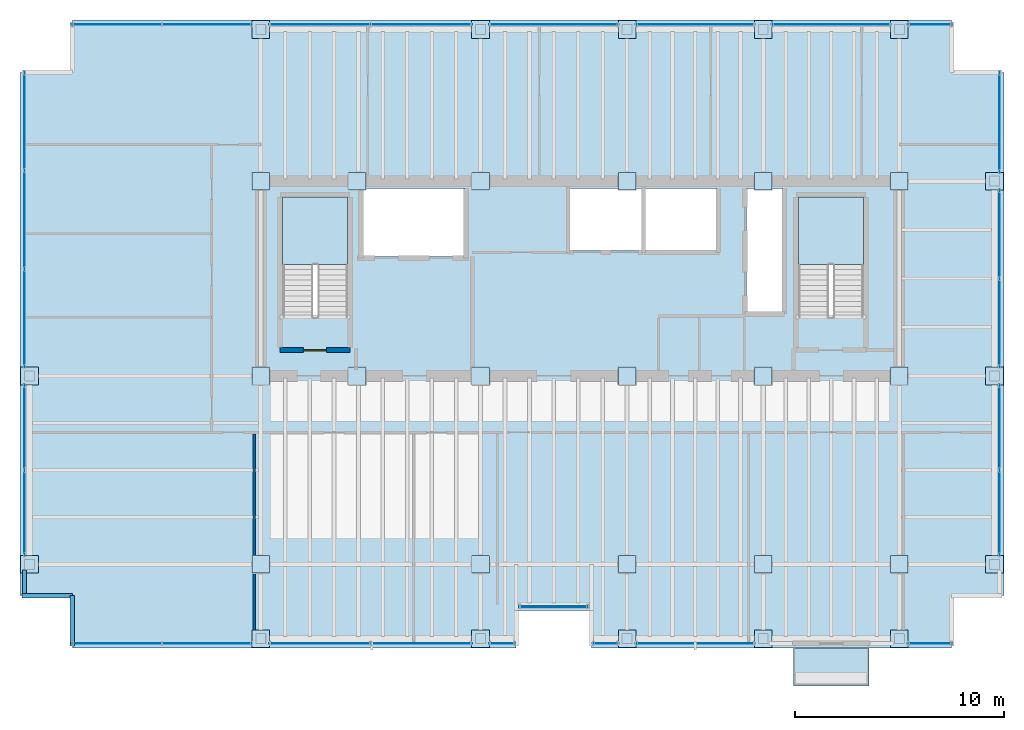
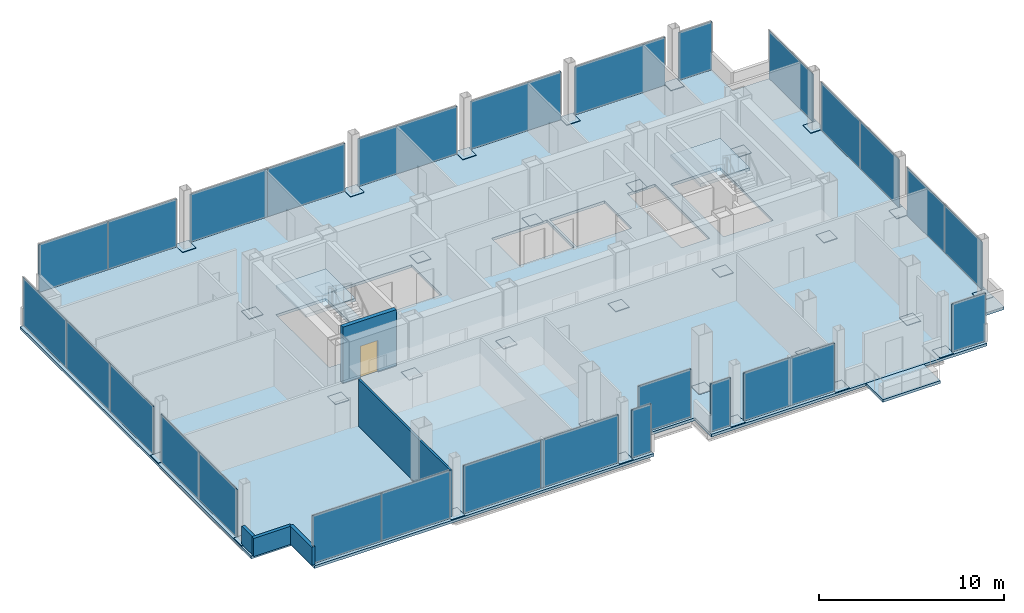
# One storey, part 15 of 19: 59 plates, 5 walls, 4 slabs, 1 door, 7 openings, 20 elements without a shape of their own.
"""IFC4 building model written with IfcOpenShell, lengths in metres."""

from ifc_helpers import new_model, si_unit, direction, frame, frame_2d, origin, origin_2d, place, context, subcontext, project, spatial, polyline, rectangle, outline, extrude, material, layer, layer_set, type_object, element, fill, aggregate, save


model = new_model("IFC4")

# Units and contexts
model_context = context("Model", 3, precision=1e-05, world=origin(), true_north=direction((0.0, 1.0)))
body_context = subcontext(model_context, "Body", "Model", "MODEL_VIEW")
ifc_project = project(units=[si_unit("LENGTHUNIT", "METRE"), si_unit("AREAUNIT", "SQUARE_METRE"), si_unit("VOLUMEUNIT", "CUBIC_METRE"), si_unit("PLANEANGLEUNIT", "RADIAN"), si_unit("MASSUNIT", "GRAM", prefix="KILO")], contexts=[model_context])

# Site, building, storey
site_placement = place(None, origin())
site = spatial("IfcSite", under=ifc_project, at=site_placement, CompositionType="ELEMENT")
building_placement = place(site_placement, origin())
building = spatial("IfcBuilding", under=site, at=building_placement, Name="Noeulbin Bourse Tower", CompositionType="ELEMENT")
storey_placement = place(building_placement, frame((0.0, 0.0, 150.0)))
storey = spatial("IfcBuildingStorey", under=building, at=storey_placement, Name="L37", CompositionType="ELEMENT", Elevation=150.0)

# Curtain wall, plate
ifc_material_1 = material(Name="Dark Tinted Triple Glazing", Category="glass")
curtain_wall_type = type_object("IfcCurtainWallType", Name="CW-SYS-3", PredefinedType="NOTDEFINED", material=ifc_material_1)
curtain_wall_1_placement = place(storey_placement, origin())
curtain_wall_1 = element("IfcCurtainWall", 1, at=curtain_wall_1_placement, inside=storey, type_object=curtain_wall_type, Name="Unitised Curtain Wall CW-L37-SREC", PredefinedType="NOTDEFINED")
ifc_layer_1 = layer(ifc_material_1, 0.035888671875)
ifc_layer_set_1 = layer_set([ifc_layer_1], Name="Dark Tinted Triple Glazing")
plate_type_1 = type_object("IfcPlateType", Name="CW-SYS-3-PNL", PredefinedType="CURTAIN_PANEL", material=ifc_layer_set_1)
plate_1_placement = place(storey_placement, frame((27.5, 17.97998046875, 0.0), z_axis=(0.0, 0.0, 1.0), x_axis=(1.0, 0.0, 0.0)))
plate_1 = element("IfcPlate", 2, at=plate_1_placement, type_object=plate_type_1, Name="Glazed Curtain Panel CW-L37-SREC-P00", PredefinedType="CURTAIN_PANEL", context=body_context, shape_type="SweptSolid", body=[
    extrude(rectangle(XDim=3.300048828125, YDim=0.035888671875, at=origin_2d()), origin(), (0.0, 0.0, 1.0), 3.179931640625),
])
aggregate(curtain_wall_1, [plate_1])

# Curtain wall, plates
curtain_wall_2_placement = place(storey_placement, origin())
curtain_wall_2 = element("IfcCurtainWall", 3, at=curtain_wall_2_placement, inside=storey, type_object=curtain_wall_type, Name="Unitised Curtain Wall CW-L37-S1-S1", PredefinedType="NOTDEFINED")
plate_2_placement = place(storey_placement, frame((6.632568359375, 16.219970703125, 0.0), z_axis=(0.0, 0.0, 1.0), x_axis=(1.0, 0.0, 0.0)))
plate_2 = element("IfcPlate", 4, at=plate_2_placement, type_object=plate_type_1, Name="Glazed Curtain Panel CW-L37-S1-S1-P00", PredefinedType="CURTAIN_PANEL", context=body_context, shape_type="SweptSolid", body=[
    extrude(rectangle(XDim=4.304931640625, YDim=0.035888671875, at=origin_2d()), origin(), (0.0, 0.0, 1.0), 3.179931640625),
])
plate_3_placement = place(storey_placement, frame((10.9375, 16.219970703125, 0.0), z_axis=(0.0, 0.0, 1.0), x_axis=(1.0, 0.0, 0.0)))
plate_3 = element("IfcPlate", 5, at=plate_3_placement, type_object=plate_type_1, Name="Glazed Curtain Panel CW-L37-S1-S1-P01", PredefinedType="CURTAIN_PANEL", context=body_context, shape_type="SweptSolid", body=[
    extrude(rectangle(XDim=4.304931640625, YDim=0.035888671875, at=origin_2d()), origin(), (0.0, 0.0, 1.0), 3.179931640625),
])
aggregate(curtain_wall_2, [plate_2, plate_3])

curtain_wall_3_placement = place(storey_placement, origin())
curtain_wall_3 = element("IfcCurtainWall", 6, at=curtain_wall_3_placement, inside=storey, type_object=curtain_wall_type, Name="Unitised Curtain Wall CW-L37-S1-S2", PredefinedType="NOTDEFINED")
plate_4_placement = place(storey_placement, frame((16.330078125, 16.219970703125, 0.0), z_axis=(0.0, 0.0, 1.0), x_axis=(1.0, 0.0, 0.0)))
plate_4 = element("IfcPlate", 7, at=plate_4_placement, type_object=plate_type_1, Name="Glazed Curtain Panel CW-L37-S1-S2-P00", PredefinedType="CURTAIN_PANEL", context=body_context, shape_type="SweptSolid", body=[
    extrude(rectangle(XDim=4.840087890625, YDim=0.035888671875, at=origin_2d()), origin(), (0.0, 0.0, 1.0), 3.179931640625),
])
plate_5_placement = place(storey_placement, frame((21.169921875, 16.219970703125, 0.0), z_axis=(0.0, 0.0, 1.0), x_axis=(1.0, 0.0, 0.0)))
plate_5 = element("IfcPlate", 8, at=plate_5_placement, type_object=plate_type_1, Name="Glazed Curtain Panel CW-L37-S1-S2-P01", PredefinedType="CURTAIN_PANEL", context=body_context, shape_type="SweptSolid", body=[
    extrude(rectangle(XDim=4.840087890625, YDim=0.035888671875, at=origin_2d()), origin(), (0.0, 0.0, 1.0), 3.179931640625),
])
aggregate(curtain_wall_3, [plate_4, plate_5])

# Curtain wall, plate
curtain_wall_4_placement = place(storey_placement, origin())
curtain_wall_4 = element("IfcCurtainWall", 9, at=curtain_wall_4_placement, inside=storey, type_object=curtain_wall_type, Name="Unitised Curtain Wall CW-L37-S1-S3", PredefinedType="NOTDEFINED")
plate_6_placement = place(storey_placement, frame((25.030029296875, 16.219970703125, 0.0), z_axis=(0.0, 0.0, 1.0), x_axis=(1.0, 0.0, 0.0)))
plate_6 = element("IfcPlate", 10, at=plate_6_placement, type_object=plate_type_1, Name="Glazed Curtain Panel CW-L37-S1-S3-P00", PredefinedType="CURTAIN_PANEL", context=body_context, shape_type="SweptSolid", body=[
    extrude(rectangle(XDim=1.239990234375, YDim=0.035888671875, at=origin_2d()), origin(), (0.0, 0.0, 1.0), 3.179931640625),
])
aggregate(curtain_wall_4, [plate_6])

curtain_wall_5_placement = place(storey_placement, origin())
curtain_wall_5 = element("IfcCurtainWall", 11, at=curtain_wall_5_placement, inside=storey, type_object=curtain_wall_type, Name="Unitised Curtain Wall CW-L37-S2-S1", PredefinedType="NOTDEFINED")
plate_7_placement = place(storey_placement, frame((29.969970703125, 16.219970703125, 0.0), z_axis=(0.0, 0.0, 1.0), x_axis=(1.0, 0.0, 0.0)))
plate_7 = element("IfcPlate", 12, at=plate_7_placement, type_object=plate_type_1, Name="Glazed Curtain Panel CW-L37-S2-S1-P00", PredefinedType="CURTAIN_PANEL", context=body_context, shape_type="SweptSolid", body=[
    extrude(rectangle(XDim=1.239990234375, YDim=0.035888671875, at=origin_2d()), origin(), (0.0, 0.0, 1.0), 3.179931640625),
])
aggregate(curtain_wall_5, [plate_7])

curtain_wall_6_placement = place(storey_placement, origin())
curtain_wall_6 = element("IfcCurtainWall", 13, at=curtain_wall_6_placement, inside=storey, type_object=curtain_wall_type, Name="Unitised Curtain Wall CW-L37-S2-S2", PredefinedType="NOTDEFINED")
plate_8_placement = place(storey_placement, frame((34.25, 16.219970703125, 0.0), z_axis=(0.0, 0.0, 1.0), x_axis=(1.0, 0.0, 0.0)))
plate_8 = element("IfcPlate", 14, at=plate_8_placement, type_object=plate_type_1, Name="Glazed Curtain Panel CW-L37-S2-S2-P00", PredefinedType="CURTAIN_PANEL", context=body_context, shape_type="SweptSolid", body=[
    extrude(rectangle(XDim=5.679931640625, YDim=0.035888671875, at=origin_2d()), origin(), (0.0, 0.0, 1.0), 3.179931640625),
])
aggregate(curtain_wall_6, [plate_8])

curtain_wall_7_placement = place(storey_placement, origin())
curtain_wall_7 = element("IfcCurtainWall", 15, at=curtain_wall_7_placement, inside=storey, type_object=curtain_wall_type, Name="Unitised Curtain Wall CW-L37-S3", PredefinedType="NOTDEFINED")
plate_9_placement = place(storey_placement, frame((45.465087890625, 16.219970703125, 0.0), z_axis=(0.0, 0.0, 1.0), x_axis=(1.0, 0.0, 0.0)))
plate_9 = element("IfcPlate", 16, at=plate_9_placement, type_object=plate_type_1, Name="Glazed Curtain Panel CW-L37-S3-P00", PredefinedType="CURTAIN_PANEL", context=body_context, shape_type="SweptSolid", body=[
    extrude(rectangle(XDim=2.110107421875, YDim=0.035888671875, at=origin_2d()), origin(), (0.0, 0.0, 1.0), 3.179931640625),
])
aggregate(curtain_wall_7, [plate_9])

# Curtain wall, plates
curtain_wall_8_placement = place(storey_placement, origin())
curtain_wall_8 = element("IfcCurtainWall", 17, at=curtain_wall_8_placement, inside=storey, type_object=curtain_wall_type, Name="Unitised Curtain Wall CW-L37-N-S1", PredefinedType="NOTDEFINED")
plate_10_placement = place(storey_placement, frame((6.632568359375, 45.780029296875, 0.0), z_axis=(0.0, 0.0, 1.0), x_axis=(1.0, 0.0, 0.0)))
plate_10 = element("IfcPlate", 18, at=plate_10_placement, type_object=plate_type_1, Name="Glazed Curtain Panel CW-L37-N-S1-P00", PredefinedType="CURTAIN_PANEL", context=body_context, shape_type="SweptSolid", body=[
    extrude(rectangle(XDim=4.304931640625, YDim=0.035888671875, at=origin_2d()), origin(), (0.0, 0.0, 1.0), 3.179931640625),
])
plate_11_placement = place(storey_placement, frame((10.9375, 45.780029296875, 0.0), z_axis=(0.0, 0.0, 1.0), x_axis=(1.0, 0.0, 0.0)))
plate_11 = element("IfcPlate", 19, at=plate_11_placement, type_object=plate_type_1, Name="Glazed Curtain Panel CW-L37-N-S1-P01", PredefinedType="CURTAIN_PANEL", context=body_context, shape_type="SweptSolid", body=[
    extrude(rectangle(XDim=4.304931640625, YDim=0.035888671875, at=origin_2d()), origin(), (0.0, 0.0, 1.0), 3.179931640625),
])
aggregate(curtain_wall_8, [plate_10, plate_11])

curtain_wall_9_placement = place(storey_placement, origin())
curtain_wall_9 = element("IfcCurtainWall", 20, at=curtain_wall_9_placement, inside=storey, type_object=curtain_wall_type, Name="Unitised Curtain Wall CW-L37-N-S2", PredefinedType="NOTDEFINED")
plate_12_placement = place(storey_placement, frame((16.330078125, 45.780029296875, 0.0), z_axis=(0.0, 0.0, 1.0), x_axis=(1.0, 0.0, 0.0)))
plate_12 = element("IfcPlate", 21, at=plate_12_placement, type_object=plate_type_1, Name="Glazed Curtain Panel CW-L37-N-S2-P00", PredefinedType="CURTAIN_PANEL", context=body_context, shape_type="SweptSolid", body=[
    extrude(rectangle(XDim=4.840087890625, YDim=0.035888671875, at=origin_2d()), origin(), (0.0, 0.0, 1.0), 3.179931640625),
])
plate_13_placement = place(storey_placement, frame((21.169921875, 45.780029296875, 0.0), z_axis=(0.0, 0.0, 1.0), x_axis=(1.0, 0.0, 0.0)))
plate_13 = element("IfcPlate", 22, at=plate_13_placement, type_object=plate_type_1, Name="Glazed Curtain Panel CW-L37-N-S2-P01", PredefinedType="CURTAIN_PANEL", context=body_context, shape_type="SweptSolid", body=[
    extrude(rectangle(XDim=4.840087890625, YDim=0.035888671875, at=origin_2d()), origin(), (0.0, 0.0, 1.0), 3.179931640625),
])
aggregate(curtain_wall_9, [plate_12, plate_13])

# Curtain wall, plate
curtain_wall_10_placement = place(storey_placement, origin())
curtain_wall_10 = element("IfcCurtainWall", 23, at=curtain_wall_10_placement, inside=storey, type_object=curtain_wall_type, Name="Unitised Curtain Wall CW-L37-N-S3", PredefinedType="NOTDEFINED")
plate_14_placement = place(storey_placement, frame((27.5, 45.780029296875, 0.0), z_axis=(0.0, 0.0, 1.0), x_axis=(1.0, 0.0, 0.0)))
plate_14 = element("IfcPlate", 24, at=plate_14_placement, type_object=plate_type_1, Name="Glazed Curtain Panel CW-L37-N-S3-P00", PredefinedType="CURTAIN_PANEL", context=body_context, shape_type="SweptSolid", body=[
    extrude(rectangle(XDim=6.179931640625, YDim=0.035888671875, at=origin_2d()), origin(), (0.0, 0.0, 1.0), 3.179931640625),
])
aggregate(curtain_wall_10, [plate_14])

curtain_wall_11_placement = place(storey_placement, origin())
curtain_wall_11 = element("IfcCurtainWall", 25, at=curtain_wall_11_placement, inside=storey, type_object=curtain_wall_type, Name="Unitised Curtain Wall CW-L37-N-S4", PredefinedType="NOTDEFINED")
plate_15_placement = place(storey_placement, frame((34.25, 45.780029296875, 0.0), z_axis=(0.0, 0.0, 1.0), x_axis=(1.0, 0.0, 0.0)))
plate_15 = element("IfcPlate", 26, at=plate_15_placement, type_object=plate_type_1, Name="Glazed Curtain Panel CW-L37-N-S4-P00", PredefinedType="CURTAIN_PANEL", context=body_context, shape_type="SweptSolid", body=[
    extrude(rectangle(XDim=5.679931640625, YDim=0.035888671875, at=origin_2d()), origin(), (0.0, 0.0, 1.0), 3.179931640625),
])
aggregate(curtain_wall_11, [plate_15])

curtain_wall_12_placement = place(storey_placement, origin())
curtain_wall_12 = element("IfcCurtainWall", 27, at=curtain_wall_12_placement, inside=storey, type_object=curtain_wall_type, Name="Unitised Curtain Wall CW-L37-N-S5", PredefinedType="NOTDEFINED")
plate_16_placement = place(storey_placement, frame((40.75, 45.780029296875, 0.0), z_axis=(0.0, 0.0, 1.0), x_axis=(1.0, 0.0, 0.0)))
plate_16 = element("IfcPlate", 28, at=plate_16_placement, type_object=plate_type_1, Name="Glazed Curtain Panel CW-L37-N-S5-P00", PredefinedType="CURTAIN_PANEL", context=body_context, shape_type="SweptSolid", body=[
    extrude(rectangle(XDim=5.679931640625, YDim=0.035888671875, at=origin_2d()), origin(), (0.0, 0.0, 1.0), 3.179931640625),
])
aggregate(curtain_wall_12, [plate_16])

curtain_wall_13_placement = place(storey_placement, origin())
curtain_wall_13 = element("IfcCurtainWall", 29, at=curtain_wall_13_placement, inside=storey, type_object=curtain_wall_type, Name="Unitised Curtain Wall CW-L37-N-S6", PredefinedType="NOTDEFINED")
plate_17_placement = place(storey_placement, frame((45.465087890625, 45.780029296875, 0.0), z_axis=(0.0, 0.0, 1.0), x_axis=(1.0, 0.0, 0.0)))
plate_17 = element("IfcPlate", 30, at=plate_17_placement, type_object=plate_type_1, Name="Glazed Curtain Panel CW-L37-N-S6-P00", PredefinedType="CURTAIN_PANEL", context=body_context, shape_type="SweptSolid", body=[
    extrude(rectangle(XDim=2.110107421875, YDim=0.035888671875, at=origin_2d()), origin(), (0.0, 0.0, 1.0), 3.179931640625),
])
aggregate(curtain_wall_13, [plate_17])

# Curtain wall, plates
curtain_wall_14_placement = place(storey_placement, origin())
curtain_wall_14 = element("IfcCurtainWall", 31, at=curtain_wall_14_placement, inside=storey, type_object=curtain_wall_type, Name="Unitised Curtain Wall CW-L37-W-S1", PredefinedType="NOTDEFINED")
plate_18_placement = place(storey_placement, frame((2.219970703125, 22.455078125, 0.0), z_axis=(0.0, 0.0, 1.0), x_axis=(0.0, 1.0, 0.0)))
plate_18 = element("IfcPlate", 32, at=plate_18_placement, type_object=plate_type_1, Name="Glazed Curtain Panel CW-L37-W-S1-P00", PredefinedType="CURTAIN_PANEL", context=body_context, shape_type="SweptSolid", body=[
    extrude(rectangle(XDim=4.090087890625, YDim=0.035888671875, at=origin_2d()), origin(), (0.0, 0.0, 1.0), 3.179931640625),
])
plate_19_placement = place(storey_placement, frame((2.219970703125, 26.544921875, 0.0), z_axis=(0.0, 0.0, 1.0), x_axis=(0.0, 1.0, 0.0)))
plate_19 = element("IfcPlate", 33, at=plate_19_placement, type_object=plate_type_1, Name="Glazed Curtain Panel CW-L37-W-S1-P01", PredefinedType="CURTAIN_PANEL", context=body_context, shape_type="SweptSolid", body=[
    extrude(rectangle(XDim=4.090087890625, YDim=0.035888671875, at=origin_2d()), origin(), (0.0, 0.0, 1.0), 3.179931640625),
])
aggregate(curtain_wall_14, [plate_18, plate_19])

curtain_wall_15_placement = place(storey_placement, origin())
curtain_wall_15 = element("IfcCurtainWall", 34, at=curtain_wall_15_placement, inside=storey, type_object=curtain_wall_type, Name="Unitised Curtain Wall CW-L37-W-S2", PredefinedType="NOTDEFINED")
plate_20_placement = place(storey_placement, frame((2.219970703125, 31.76171875, 0.0), z_axis=(0.0, 0.0, 1.0), x_axis=(0.0, 1.0, 0.0)))
plate_20 = element("IfcPlate", 35, at=plate_20_placement, type_object=plate_type_1, Name="Glazed Curtain Panel CW-L37-W-S2-P00", PredefinedType="CURTAIN_PANEL", context=body_context, shape_type="SweptSolid", body=[
    extrude(rectangle(XDim=4.703369140625, YDim=0.035888671875, at=origin_2d()), origin(), (0.0, 0.0, 1.0), 3.179931640625),
])
plate_21_placement = place(storey_placement, frame((2.219970703125, 36.465087890625, 0.0), z_axis=(0.0, 0.0, 1.0), x_axis=(0.0, 1.0, 0.0)))
plate_21 = element("IfcPlate", 36, at=plate_21_placement, type_object=plate_type_1, Name="Glazed Curtain Panel CW-L37-W-S2-P01", PredefinedType="CURTAIN_PANEL", context=body_context, shape_type="SweptSolid", body=[
    extrude(rectangle(XDim=4.703369140625, YDim=0.035888671875, at=origin_2d()), origin(), (0.0, 0.0, 1.0), 3.179931640625),
])
plate_22_placement = place(storey_placement, frame((2.219970703125, 41.168212890625, 0.0), z_axis=(0.0, 0.0, 1.0), x_axis=(0.0, 1.0, 0.0)))
plate_22 = element("IfcPlate", 37, at=plate_22_placement, type_object=plate_type_1, Name="Glazed Curtain Panel CW-L37-W-S2-P02", PredefinedType="CURTAIN_PANEL", context=body_context, shape_type="SweptSolid", body=[
    extrude(rectangle(XDim=4.703369140625, YDim=0.035888671875, at=origin_2d()), origin(), (0.0, 0.0, 1.0), 3.179931640625),
])
aggregate(curtain_wall_15, [plate_20, plate_21, plate_22])

curtain_wall_16_placement = place(storey_placement, origin())
curtain_wall_16 = element("IfcCurtainWall", 38, at=curtain_wall_16_placement, inside=storey, type_object=curtain_wall_type, Name="Unitised Curtain Wall CW-L37-E-S1", PredefinedType="NOTDEFINED")
plate_23_placement = place(storey_placement, frame((48.780029296875, 22.455078125, 0.0), z_axis=(0.0, 0.0, 1.0), x_axis=(0.0, 1.0, 0.0)))
plate_23 = element("IfcPlate", 39, at=plate_23_placement, type_object=plate_type_1, Name="Glazed Curtain Panel CW-L37-E-S1-P00", PredefinedType="CURTAIN_PANEL", context=body_context, shape_type="SweptSolid", body=[
    extrude(rectangle(XDim=4.090087890625, YDim=0.035888671875, at=origin_2d()), origin(), (0.0, 0.0, 1.0), 3.179931640625),
])
plate_24_placement = place(storey_placement, frame((48.780029296875, 26.544921875, 0.0), z_axis=(0.0, 0.0, 1.0), x_axis=(0.0, 1.0, 0.0)))
plate_24 = element("IfcPlate", 40, at=plate_24_placement, type_object=plate_type_1, Name="Glazed Curtain Panel CW-L37-E-S1-P01", PredefinedType="CURTAIN_PANEL", context=body_context, shape_type="SweptSolid", body=[
    extrude(rectangle(XDim=4.090087890625, YDim=0.035888671875, at=origin_2d()), origin(), (0.0, 0.0, 1.0), 3.179931640625),
])
aggregate(curtain_wall_16, [plate_23, plate_24])

curtain_wall_17_placement = place(storey_placement, origin())
curtain_wall_17 = element("IfcCurtainWall", 41, at=curtain_wall_17_placement, inside=storey, type_object=curtain_wall_type, Name="Unitised Curtain Wall CW-L37-E-S2", PredefinedType="NOTDEFINED")
plate_25_placement = place(storey_placement, frame((48.780029296875, 31.530029296875, 0.0), z_axis=(0.0, 0.0, 1.0), x_axis=(0.0, 1.0, 0.0)))
plate_25 = element("IfcPlate", 42, at=plate_25_placement, type_object=plate_type_1, Name="Glazed Curtain Panel CW-L37-E-S2-P00", PredefinedType="CURTAIN_PANEL", context=body_context, shape_type="SweptSolid", body=[
    extrude(rectangle(XDim=4.239990234375, YDim=0.035888671875, at=origin_2d()), origin(), (0.0, 0.0, 1.0), 3.179931640625),
])
plate_26_placement = place(storey_placement, frame((48.780029296875, 35.77001953125, 0.0), z_axis=(0.0, 0.0, 1.0), x_axis=(0.0, 1.0, 0.0)))
plate_26 = element("IfcPlate", 43, at=plate_26_placement, type_object=plate_type_1, Name="Glazed Curtain Panel CW-L37-E-S2-P01", PredefinedType="CURTAIN_PANEL", context=body_context, shape_type="SweptSolid", body=[
    extrude(rectangle(XDim=4.239990234375, YDim=0.035888671875, at=origin_2d()), origin(), (0.0, 0.0, 1.0), 3.179931640625),
])
aggregate(curtain_wall_17, [plate_25, plate_26])

# Curtain wall, plate
curtain_wall_18_placement = place(storey_placement, origin())
curtain_wall_18 = element("IfcCurtainWall", 44, at=curtain_wall_18_placement, inside=storey, type_object=curtain_wall_type, Name="Unitised Curtain Wall CW-L37-E-S3", PredefinedType="NOTDEFINED")
plate_27_placement = place(storey_placement, frame((48.780029296875, 41.114990234375, 0.0), z_axis=(0.0, 0.0, 1.0), x_axis=(0.0, 1.0, 0.0)))
plate_27 = element("IfcPlate", 45, at=plate_27_placement, type_object=plate_type_1, Name="Glazed Curtain Panel CW-L37-E-S3-P00", PredefinedType="CURTAIN_PANEL", context=body_context, shape_type="SweptSolid", body=[
    extrude(rectangle(XDim=4.81005859375, YDim=0.035888671875, at=origin_2d()), origin(), (0.0, 0.0, 1.0), 3.179931640625),
])
aggregate(curtain_wall_18, [plate_27])

# Plates
ifc_material_2 = material(Name="Steel S355", Category="steel")
ifc_layer_2 = layer(ifc_material_2, 0.030029296875)
ifc_layer_set_2 = layer_set([ifc_layer_2], Name="Steel S355")
plate_type_2 = type_object("IfcPlateType", Name="PLT-BN1", PredefinedType="USERDEFINED", material=ifc_layer_set_2)
for number, where, z_axis, x_axis, name in (
    (46, (13.5, 29.0, 0.0048828125), (0.0, 0.0, 1.0), (1.0, 0.0, 0.0), "Mega-Column Splice Plate BN1-L37-01"),
    (47, (13.5, 38.300048828125, 0.0048828125), (0.0, 0.0, 1.0), (1.0, 0.0, 0.0), "Mega-Column Splice Plate BN1-L37-02"),
    (48, (18.10009765625, 29.0, 0.0048828125), (0.0, 0.0, 1.0), (1.0, 0.0, 0.0), "Mega-Column Splice Plate BN1-L37-03"),
    (49, (18.10009765625, 38.300048828125, 0.0048828125), (0.0, 0.0, 1.0), (1.0, 0.0, 0.0), "Mega-Column Splice Plate BN1-L37-04"),
    (50, (24.0, 29.0, 0.0048828125), (0.0, 0.0, 1.0), (1.0, 0.0, 0.0), "Mega-Column Splice Plate BN1-L37-05"),
    (51, (24.0, 38.300048828125, 0.0048828125), (0.0, 0.0, 1.0), (1.0, 0.0, 0.0), "Mega-Column Splice Plate BN1-L37-06"),
    (52, (31.0, 29.0, 0.0048828125), (0.0, 0.0, 1.0), (1.0, 0.0, 0.0), "Mega-Column Splice Plate BN1-L37-07"),
    (53, (31.0, 38.300048828125, 0.0048828125), (0.0, 0.0, 1.0), (1.0, 0.0, 0.0), "Mega-Column Splice Plate BN1-L37-08"),
    (54, (37.5, 29.0, 0.0048828125), (0.0, 0.0, 1.0), (1.0, 0.0, 0.0), "Mega-Column Splice Plate BN1-L37-09"),
    (55, (37.5, 38.300048828125, 0.0048828125), (0.0, 0.0, 1.0), (1.0, 0.0, 0.0), "Mega-Column Splice Plate BN1-L37-10"),
    (56, (44.0, 29.0, 0.0048828125), (0.0, 0.0, 1.0), (1.0, 0.0, 0.0), "Mega-Column Splice Plate BN1-L37-11"),
    (57, (44.0, 38.300048828125, 0.0048828125), (0.0, 0.0, 1.0), (1.0, 0.0, 0.0), "Mega-Column Splice Plate BN1-L37-12"),
    (58, (13.5, 20.0, 0.0048828125), (0.0, 0.0, 1.0), (1.0, 0.0, 0.0), "Mega-Column Splice Plate BN1-L37-13"),
    (59, (24.0, 20.0, 0.0048828125), (0.0, 0.0, 1.0), (1.0, 0.0, 0.0), "Mega-Column Splice Plate BN1-L37-14"),
    (60, (31.0, 20.0, 0.0048828125), (0.0, 0.0, 1.0), (1.0, 0.0, 0.0), "Mega-Column Splice Plate BN1-L37-15"),
    (61, (37.5, 20.0, 0.0048828125), (0.0, 0.0, 1.0), (1.0, 0.0, 0.0), "Mega-Column Splice Plate BN1-L37-16"),
    (62, (44.0, 20.0, 0.0048828125), (0.0, 0.0, 1.0), (1.0, 0.0, 0.0), "Mega-Column Splice Plate BN1-L37-17"),
    (63, (2.449951171875, 20.0, 0.0048828125), (0.0, 0.0, 1.0), (1.0, 0.0, 0.0), "Perimeter Column Splice Plate BN1-L37-01"),
    (64, (2.449951171875, 29.0, 0.0048828125), (0.0, 0.0, 1.0), (1.0, 0.0, 0.0), "Perimeter Column Splice Plate BN1-L37-02"),
    (65, (13.5, 16.449951171875, 0.0048828125), (0.0, 0.0, 1.0), (1.0, 0.0, 0.0), "Perimeter Column Splice Plate BN1-L37-03"),
    (66, (13.5, 45.550048828125, 0.0048828125), (0.0, 0.0, 1.0), (1.0, 0.0, 0.0), "Perimeter Column Splice Plate BN1-L37-04"),
    (67, (24.0, 16.449951171875, 0.0048828125), (0.0, 0.0, 1.0), (1.0, 0.0, 0.0), "Perimeter Column Splice Plate BN1-L37-05"),
    (68, (24.0, 45.550048828125, 0.0048828125), (0.0, 0.0, 1.0), (1.0, 0.0, 0.0), "Perimeter Column Splice Plate BN1-L37-06"),
    (69, (31.0, 16.449951171875, 0.0048828125), (0.0, 0.0, 1.0), (1.0, 0.0, 0.0), "Perimeter Column Splice Plate BN1-L37-07"),
    (70, (31.0, 45.550048828125, 0.0048828125), (0.0, 0.0, 1.0), (1.0, 0.0, 0.0), "Perimeter Column Splice Plate BN1-L37-08"),
    (71, (37.5, 16.449951171875, 0.0048828125), (0.0, 0.0, 1.0), (1.0, 0.0, 0.0), "Perimeter Column Splice Plate BN1-L37-09"),
    (72, (37.5, 45.550048828125, 0.0048828125), (0.0, 0.0, 1.0), (1.0, 0.0, 0.0), "Perimeter Column Splice Plate BN1-L37-10"),
    (73, (44.0, 16.449951171875, 0.0048828125), (0.0, 0.0, 1.0), (1.0, 0.0, 0.0), "Perimeter Column Splice Plate BN1-L37-11"),
    (74, (44.0, 45.550048828125, 0.0048828125), (0.0, 0.0, 1.0), (1.0, 0.0, 0.0), "Perimeter Column Splice Plate BN1-L37-12"),
    (75, (48.550048828125, 20.0, 0.0048828125), (0.0, 0.0, 1.0), (1.0, 0.0, 0.0), "Perimeter Column Splice Plate BN1-L37-13"),
    (76, (48.550048828125, 29.0, 0.0048828125), (0.0, 0.0, 1.0), (1.0, 0.0, 0.0), "Perimeter Column Splice Plate BN1-L37-14"),
    (77, (48.550048828125, 38.300048828125, 0.0048828125), (0.0, 0.0, 1.0), (1.0, 0.0, 0.0), "Perimeter Column Splice Plate BN1-L37-15"),
):
    element("IfcPlate", number, at=place(storey_placement, frame(where, z_axis=z_axis, x_axis=x_axis)), inside=storey, type_object=plate_type_2, Name=name, ObjectType="SPLICE PLATE", PredefinedType="USERDEFINED", context=body_context, shape_type="SweptSolid", body=[
        extrude(rectangle(XDim=0.85009765625, YDim=0.85009765625, at=origin_2d()), origin(), (0.0, 0.0, 1.0), 0.030029296875),
    ])

# Stair, slab
ifc_material_3 = material(Name="Concrete C40/50", Category="concrete")
stair_type = type_object("IfcStairType", Name="STR-CORE-1560", PredefinedType="HALF_TURN_STAIR", material=ifc_material_3)
stair_1_placement = place(storey_placement, origin())
stair_1 = element("IfcStair", 78, at=stair_1_placement, inside=storey, type_object=stair_type, Name="L37 ST-1", PredefinedType="HALF_TURN_STAIR")
ifc_layer_3 = layer(ifc_material_3, 0.199951171875)
ifc_layer_set_3 = layer_set([ifc_layer_3], Name="Concrete C40/50")
slab_type_1 = type_object("IfcSlabType", Name="SLB-LND-200", PredefinedType="LANDING", material=ifc_layer_set_3)
slab_1_placement = place(storey_placement, frame((0.0, 0.0, 1.75)))
slab_1 = element("IfcSlab", 79, at=slab_1_placement, type_object=slab_type_1, Name="ST-1 landing 1", PredefinedType="LANDING", context=body_context, shape_type="SweptSolid", body=[
    extrude(outline(polyline([(17.64990234375, 34.330078125), (17.64990234375, 37.5439453125), (14.550048828125, 37.5439453125), (14.550048828125, 34.330078125), (17.64990234375, 34.330078125)])), origin(), (0.0, 0.0, 1.0), 0.199951171875),
])
aggregate(stair_1, [slab_1])

stair_2_placement = place(storey_placement, origin())
stair_2 = element("IfcStair", 80, at=stair_2_placement, inside=storey, type_object=stair_type, Name="L37 ST-2", PredefinedType="HALF_TURN_STAIR")
slab_2_placement = place(storey_placement, frame((0.0, 0.0, 1.75)))
slab_2 = element("IfcSlab", 81, at=slab_2_placement, type_object=slab_type_1, Name="ST-2 landing 1", PredefinedType="LANDING", context=body_context, shape_type="SweptSolid", body=[
    extrude(outline(polyline([(42.280029296875, 34.330078125), (42.280029296875, 37.5439453125), (39.179931640625, 37.5439453125), (39.179931640625, 34.330078125), (42.280029296875, 34.330078125)])), origin(), (0.0, 0.0, 1.0), 0.199951171875),
])
aggregate(stair_2, [slab_2])

# Slab, openings
ifc_layer_4 = layer(ifc_material_3, 0.179931640625)
ifc_layer_set_4 = layer_set([ifc_layer_4], Name="Concrete C40/50")
slab_type_2 = type_object("IfcSlabType", Name="SLB-TYP-180", PredefinedType="FLOOR", material=ifc_layer_set_4)
slab_3_placement = place(storey_placement, frame((0.0, 0.0, -0.179931640625)))
slab_3 = element("IfcSlab", 82, at=slab_3_placement, inside=storey, type_object=slab_type_2, Name="Tower Structural Floor Slab L37", PredefinedType="FLOOR", context=body_context, shape_type="SweptSolid", body=[
    extrude(outline(polyline([(4.5, 16.0), (25.699951171875, 16.0), (25.699951171875, 17.800048828125), (29.300048828125, 17.800048828125), (29.300048828125, 16.0), (46.5, 16.0), (46.5, 18.5), (49.0, 18.5), (49.0, 43.5), (46.5, 43.5), (46.5, 46.0), (4.5, 46.0), (4.5, 43.5), (2.0, 43.5), (2.0, 18.5), (4.5, 18.5), (4.5, 16.0)]), holes=[polyline([(17.64990234375, 31.81005859375), (17.64990234375, 37.5439453125), (14.550048828125, 37.5439453125), (14.550048828125, 31.81005859375), (17.64990234375, 31.81005859375)]), polyline([(42.280029296875, 31.81005859375), (42.280029296875, 37.5439453125), (39.179931640625, 37.5439453125), (39.179931640625, 31.81005859375), (42.280029296875, 31.81005859375)]), polyline([(18.35009765625, 34.699951171875), (23.25, 34.699951171875), (23.25, 37.949951171875), (18.35009765625, 37.949951171875), (18.35009765625, 34.699951171875)]), polyline([(36.699951171875, 32.050048828125), (38.449951171875, 32.050048828125), (38.449951171875, 37.949951171875), (36.699951171875, 37.949951171875), (36.699951171875, 32.050048828125)]), polyline([(28.25, 35.0), (31.699951171875, 35.0), (31.699951171875, 37.949951171875), (28.25, 37.949951171875), (28.25, 35.0)]), polyline([(31.85009765625, 35.0), (35.300048828125, 35.0), (35.300048828125, 37.949951171875), (31.85009765625, 37.949951171875), (31.85009765625, 35.0)])]), origin(), (0.0, 0.0, 1.0), 0.179931640625),
])
opening_1_placement = place(slab_3_placement, frame((0.0, 0.0, -0.010009765625)))
element("IfcOpeningElement", 83, at=opening_1_placement, cuts=slab_3, Name="Slab Shaft Opening SLB-L37-TWR-1", PredefinedType="OPENING", context=body_context, shape_type="SweptSolid", body=[
    extrude(outline(polyline([(17.64990234375, 31.81005859375), (17.64990234375, 37.5439453125), (14.550048828125, 37.5439453125), (14.550048828125, 31.81005859375), (17.64990234375, 31.81005859375)])), origin(), (0.0, 0.0, 1.0), 0.199951171875),
])
opening_2_placement = place(slab_3_placement, frame((0.0, 0.0, -0.010009765625)))
element("IfcOpeningElement", 84, at=opening_2_placement, cuts=slab_3, Name="Slab Shaft Opening SLB-L37-TWR-2", PredefinedType="OPENING", context=body_context, shape_type="SweptSolid", body=[
    extrude(outline(polyline([(42.280029296875, 31.81005859375), (42.280029296875, 37.5439453125), (39.179931640625, 37.5439453125), (39.179931640625, 31.81005859375), (42.280029296875, 31.81005859375)])), origin(), (0.0, 0.0, 1.0), 0.199951171875),
])
opening_3_placement = place(slab_3_placement, frame((0.0, 0.0, -0.010009765625)))
element("IfcOpeningElement", 85, at=opening_3_placement, cuts=slab_3, Name="Slab Shaft Opening SLB-L37-TWR-3", PredefinedType="OPENING", context=body_context, shape_type="SweptSolid", body=[
    extrude(outline(polyline([(18.35009765625, 34.699951171875), (23.25, 34.699951171875), (23.25, 37.949951171875), (18.35009765625, 37.949951171875), (18.35009765625, 34.699951171875)])), origin(), (0.0, 0.0, 1.0), 0.199951171875),
])
opening_4_placement = place(slab_3_placement, frame((0.0, 0.0, -0.010009765625)))
element("IfcOpeningElement", 86, at=opening_4_placement, cuts=slab_3, Name="Slab Shaft Opening SLB-L37-TWR-4", PredefinedType="OPENING", context=body_context, shape_type="SweptSolid", body=[
    extrude(outline(polyline([(36.699951171875, 32.050048828125), (38.449951171875, 32.050048828125), (38.449951171875, 37.949951171875), (36.699951171875, 37.949951171875), (36.699951171875, 32.050048828125)])), origin(), (0.0, 0.0, 1.0), 0.199951171875),
])
opening_5_placement = place(slab_3_placement, frame((0.0, 0.0, -0.010009765625)))
element("IfcOpeningElement", 87, at=opening_5_placement, cuts=slab_3, Name="Slab Shaft Opening SLB-L37-TWR-5", PredefinedType="OPENING", context=body_context, shape_type="SweptSolid", body=[
    extrude(outline(polyline([(28.25, 35.0), (31.699951171875, 35.0), (31.699951171875, 37.949951171875), (28.25, 37.949951171875), (28.25, 35.0)])), origin(), (0.0, 0.0, 1.0), 0.199951171875),
])
opening_6_placement = place(slab_3_placement, frame((0.0, 0.0, -0.010009765625)))
element("IfcOpeningElement", 88, at=opening_6_placement, cuts=slab_3, Name="Slab Shaft Opening SLB-L37-TWR-6", PredefinedType="OPENING", context=body_context, shape_type="SweptSolid", body=[
    extrude(outline(polyline([(31.85009765625, 35.0), (35.300048828125, 35.0), (35.300048828125, 37.949951171875), (31.85009765625, 37.949951171875), (31.85009765625, 35.0)])), origin(), (0.0, 0.0, 1.0), 0.199951171875),
])

# Slab
slab_4_placement = place(storey_placement, frame((0.0, 0.0, -0.179931640625)))
element("IfcSlab", 89, at=slab_4_placement, inside=storey, type_object=slab_type_2, Name="Cantilevered Tree-Balcony Slab L37", PredefinedType="FLOOR", context=body_context, shape_type="SweptSolid", body=[
    extrude(outline(polyline([(38.949951171875, 14.199951171875), (42.550048828125, 14.199951171875), (42.550048828125, 16.0), (38.949951171875, 16.0), (38.949951171875, 14.199951171875)])), origin(), (0.0, 0.0, 1.0), 0.179931640625),
])

# Walls
ifc_layer_5 = layer(ifc_material_3, 0.199951171875)
ifc_layer_set_5 = layer_set([ifc_layer_5], Name="Concrete C40/50")
wall_type_1 = type_object("IfcWallType", Name="WAL-PAR-200", PredefinedType="PARAPET", material=ifc_layer_set_5)
wall_1_placement = place(storey_placement, frame((2.219970703125, 18.60009765625, 0.0), z_axis=(0.0, 0.0, 1.0), x_axis=(0.0, 1.0, 0.0)))
element("IfcWall", 90, at=wall_1_placement, inside=storey, type_object=wall_type_1, Name="Perimeter Pier Spandrel Parapet L37-W1", PredefinedType="PARAPET", context=body_context, shape_type="SweptSolid", body=[
    extrude(rectangle(XDim=1.1298828125, YDim=0.199951171875, at=frame_2d((0.56494140625, 0.0))), origin(), (0.0, 0.0, 1.0), 1.199951171875),
])
for number, where, z_axis, x_axis, name in (
    (91, (2.10009765625, 18.5, 0.0), (0.0, 0.0, 1.0), (1.0, 0.0, 0.0), "Corner Notch Parapet L37-SW1"),
    (92, (4.5, 18.5, 0.0), (0.0, 0.0, 1.0), (0.0, -1.0, 0.0), "Corner Notch Parapet L37-SW2"),
):
    element("IfcWall", number, at=place(storey_placement, frame(where, z_axis=z_axis, x_axis=x_axis)), inside=storey, type_object=wall_type_1, Name=name, PredefinedType="PARAPET", context=body_context, shape_type="SweptSolid", body=[
        extrude(rectangle(XDim=2.39990234375, YDim=0.199951171875, at=frame_2d((1.199951171875, 0.0))), origin(), (0.0, 0.0, 1.0), 1.199951171875),
    ])
ifc_material_4 = material(Name="Steel Stud Gypsum Partition", Category="steel")
ifc_layer_6 = layer(ifc_material_4, 0.1201171875)
ifc_layer_set_6 = layer_set([ifc_layer_6], Name="Steel Stud Gypsum Partition")
wall_type_2 = type_object("IfcWallType", Name="WAL-PRT-120", PredefinedType="PARTITIONING", material=ifc_layer_set_6)
wall_2_placement = place(storey_placement, frame((13.199951171875, 16.31005859375, 0.0), z_axis=(0.0, 0.0, 1.0), x_axis=(0.0, 1.0, 0.0)))
element("IfcWall", 93, at=wall_2_placement, inside=storey, type_object=wall_type_2, Name="Interior Partition Wall L37-16", PredefinedType="PARTITIONING", context=body_context, shape_type="SweptSolid", body=[
    extrude(rectangle(XDim=9.905029296875, YDim=0.1201171875, at=frame_2d((4.95263671875, 0.0))), origin(), (0.0, 0.0, 1.0), 3.10009765625),
])

# Wall, opening, door
ifc_layer_7 = layer(ifc_material_3, 0.25)
ifc_layer_set_7 = layer_set([ifc_layer_7], Name="Concrete C40/50")
wall_type_3 = type_object("IfcWallType", Name="WAL-SHFT-250", PredefinedType="STANDARD", material=ifc_layer_set_7)
wall_3_placement = place(storey_placement, frame((14.429931640625, 30.235107421875, 0.0), z_axis=(0.0, 0.0, 1.0), x_axis=(1.0, 0.0, 0.0)))
wall_3 = element("IfcWall", 94, at=wall_3_placement, inside=storey, type_object=wall_type_3, Name="Stair ST-1 South Shaft Wall L37", PredefinedType="STANDARD", context=body_context, shape_type="SweptSolid", body=[
    extrude(rectangle(XDim=3.340087890625, YDim=0.25, at=frame_2d((1.669921875, 0.0))), origin(), (0.0, 0.0, 1.0), 3.719970703125),
])
opening_7_placement = place(wall_3_placement, frame((1.10009765625, 0.0, 0.0)))
opening_7 = element("IfcOpeningElement", 95, at=opening_7_placement, cuts=wall_3, Name="Opening FD-11", PredefinedType="OPENING", context=body_context, shape_type="SweptSolid", body=[
    extrude(rectangle(XDim=1.10009765625, YDim=2.080078125, at=frame_2d((0.550048828125, 1.0400390625))), frame((0.0, 0.135009765625, 0.0), z_axis=(0.0, -1.0, 0.0), x_axis=(1.0, 0.0, 0.0)), (0.0, 0.0, 1.0), 0.27001953125),
])
ifc_material_5 = material(Name="Fire-Rated Insulated Steel", Category="steel")
door_type = type_object("IfcDoorType", Name="DR-FD60-1100", OperationType="SINGLE_SWING_LEFT", PredefinedType="DOOR", material=ifc_material_5)
door_placement = place(opening_7_placement, origin())
door = element("IfcDoor", 96, at=door_placement, inside=storey, type_object=door_type, Name="Protected Stair Entry Door ST1-L37", OperationType="SINGLE_SWING_RIGHT", OverallHeight=2.080078125, OverallWidth=1.10009765625, PredefinedType="DOOR", context=body_context, shape_type="SweptSolid", body=[
    extrude(rectangle(XDim=1.10009765625, YDim=2.080078125, at=frame_2d((0.550048828125, 1.0400390625))), frame((0.0, 0.02490234375, 0.0), z_axis=(0.0, -1.0, 0.0), x_axis=(1.0, 0.0, 0.0)), (0.0, 0.0, 1.0), 0.050048828125),
])
fill(opening_7, door)

save(model, "model.ifc")
